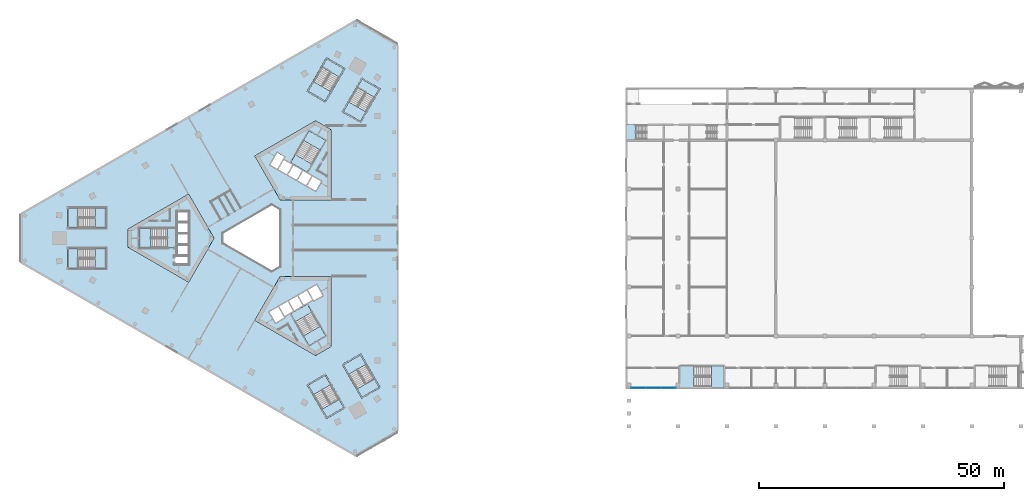
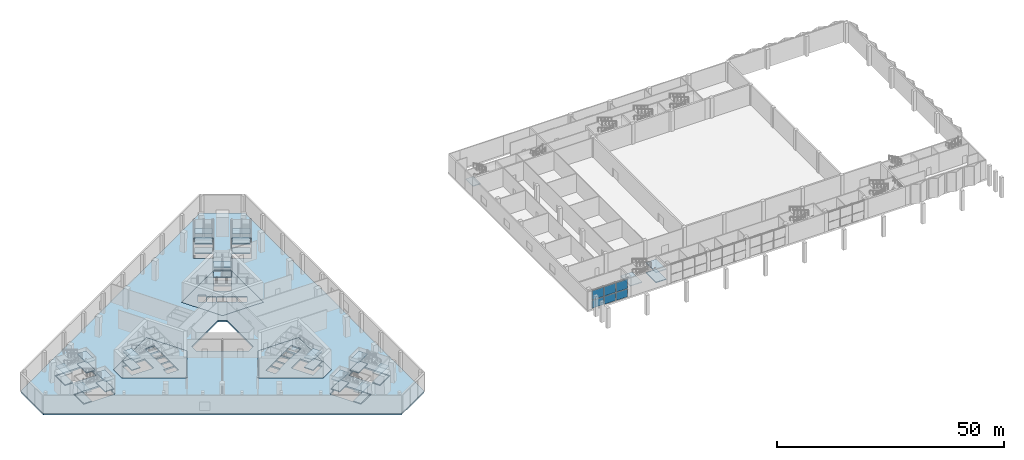
# One storey, part 4 of 35: 41 slabs, 6 plates, 12 elements without a shape of their own.
"""IFC4 building model written with IfcOpenShell, lengths in metres."""

from ifc_helpers import new_model, si_unit, direction, frame, origin, origin_2d, place, context, subcontext, project, spatial, polyline, rectangle, outline, extrude, material, layer, layer_set, type_object, element, aggregate, save


model = new_model("IFC4")

# Units and contexts
model_context = context("Model", 3, precision=1e-05, world=origin(), true_north=direction((0.0, 1.0)))
body_context = subcontext(model_context, "Body", "Model", "MODEL_VIEW")
ifc_project = project(units=[si_unit("LENGTHUNIT", "METRE"), si_unit("AREAUNIT", "SQUARE_METRE"), si_unit("VOLUMEUNIT", "CUBIC_METRE"), si_unit("PLANEANGLEUNIT", "RADIAN"), si_unit("MASSUNIT", "GRAM", prefix="KILO")], contexts=[model_context])

# Site, building, storey
site_placement = place(None, origin())
site = spatial("IfcSite", under=ifc_project, at=site_placement, CompositionType="ELEMENT")
building_placement = place(site_placement, origin())
building = spatial("IfcBuilding", under=site, at=building_placement, Name="Jabali Bay Hotel Tower and Convention Centre", CompositionType="ELEMENT")
storey_placement = place(building_placement, frame((0.0, 0.0, 15.0)))
storey = spatial("IfcBuildingStorey", under=building, at=storey_placement, Name="L02", CompositionType="ELEMENT", Elevation=15.0)

# Curtain wall, plates
ifc_material_1 = material(Name="Aluminium 6063-T5 and glass", Category="aluminium")
curtain_wall_type = type_object("IfcCurtainWallType", Name="CC CW5 Unitised Curtain Wall", PredefinedType="NOTDEFINED", material=ifc_material_1)
curtain_wall_placement = place(storey_placement, origin())
curtain_wall = element("IfcCurtainWall", 1, at=curtain_wall_placement, inside=storey, type_object=curtain_wall_type, Name="CC CW5 run 1", PredefinedType="NOTDEFINED")
ifc_material_2 = material(Name="Glass IGU 28", Category="glass")
ifc_layer_1 = layer(ifc_material_2, 0.028076171875)
ifc_layer_set_1 = layer_set([ifc_layer_1], Name="Glass IGU 28")
plate_type = type_object("IfcPlateType", Name="CC Curtain Wall Glass Panel 28", PredefinedType="CURTAIN_PANEL", material=ifc_layer_set_1)
plate_1_placement = place(storey_placement, frame((152.6484375, 49.449951171875, 0.119873046875), z_axis=(0.0, 0.0, 1.0), x_axis=(1.0, 0.0, 0.0)))
plate_1 = element("IfcPlate", 2, at=plate_1_placement, type_object=plate_type, Name="CC-CW5 panel 1.1", PredefinedType="CURTAIN_PANEL", context=body_context, shape_type="SweptSolid", body=[
    extrude(rectangle(XDim=2.9765625, YDim=0.028076171875, at=origin_2d()), origin(), (0.0, 0.0, 1.0), 2.1201171875),
])
plate_2_placement = place(storey_placement, frame((152.6484375, 49.449951171875, 2.35986328125), z_axis=(0.0, 0.0, 1.0), x_axis=(1.0, 0.0, 0.0)))
plate_2 = element("IfcPlate", 3, at=plate_2_placement, type_object=plate_type, Name="CC-CW5 panel 1.2", PredefinedType="CURTAIN_PANEL", context=body_context, shape_type="SweptSolid", body=[
    extrude(rectangle(XDim=2.9765625, YDim=0.028076171875, at=origin_2d()), origin(), (0.0, 0.0, 1.0), 2.510009765625),
])
plate_3_placement = place(storey_placement, frame((155.699951171875, 49.449951171875, 0.119873046875), z_axis=(0.0, 0.0, 1.0), x_axis=(1.0, 0.0, 0.0)))
plate_3 = element("IfcPlate", 4, at=plate_3_placement, type_object=plate_type, Name="CC-CW5 panel 2.1", PredefinedType="CURTAIN_PANEL", context=body_context, shape_type="SweptSolid", body=[
    extrude(rectangle(XDim=3.006591796875, YDim=0.028076171875, at=origin_2d()), origin(), (0.0, 0.0, 1.0), 2.1201171875),
])
plate_4_placement = place(storey_placement, frame((155.699951171875, 49.449951171875, 2.35986328125), z_axis=(0.0, 0.0, 1.0), x_axis=(1.0, 0.0, 0.0)))
plate_4 = element("IfcPlate", 5, at=plate_4_placement, type_object=plate_type, Name="CC-CW5 panel 2.2", PredefinedType="CURTAIN_PANEL", context=body_context, shape_type="SweptSolid", body=[
    extrude(rectangle(XDim=3.006591796875, YDim=0.028076171875, at=origin_2d()), origin(), (0.0, 0.0, 1.0), 2.510009765625),
])
plate_5_placement = place(storey_placement, frame((158.751708984375, 49.449951171875, 0.119873046875), z_axis=(0.0, 0.0, 1.0), x_axis=(1.0, 0.0, 0.0)))
plate_5 = element("IfcPlate", 6, at=plate_5_placement, type_object=plate_type, Name="CC-CW5 panel 3.1", PredefinedType="CURTAIN_PANEL", context=body_context, shape_type="SweptSolid", body=[
    extrude(rectangle(XDim=2.9765625, YDim=0.028076171875, at=origin_2d()), origin(), (0.0, 0.0, 1.0), 2.1201171875),
])
plate_6_placement = place(storey_placement, frame((158.751708984375, 49.449951171875, 2.35986328125), z_axis=(0.0, 0.0, 1.0), x_axis=(1.0, 0.0, 0.0)))
plate_6 = element("IfcPlate", 7, at=plate_6_placement, type_object=plate_type, Name="CC-CW5 panel 3.2", PredefinedType="CURTAIN_PANEL", context=body_context, shape_type="SweptSolid", body=[
    extrude(rectangle(XDim=2.9765625, YDim=0.028076171875, at=origin_2d()), origin(), (0.0, 0.0, 1.0), 2.510009765625),
])
aggregate(curtain_wall, [plate_1, plate_2, plate_3, plate_4, plate_5, plate_6])

# Stair, slab
ifc_material_3 = material(Name="Concrete C40", Category="concrete")
stair_type_1 = type_object("IfcStairType", Name="CC Dogleg Stair 1350", PredefinedType="HALF_TURN_STAIR", material=ifc_material_3)
stair_1_placement = place(storey_placement, origin())
stair_1 = element("IfcStair", 8, at=stair_1_placement, inside=storey, type_object=stair_type_1, Name="L02 West stair A", PredefinedType="HALF_TURN_STAIR")
ifc_layer_2 = layer(ifc_material_3, 0.199951171875)
ifc_layer_set_2 = layer_set([ifc_layer_2], Name="Concrete C40")
slab_type_1 = type_object("IfcSlabType", Name="CC Stair Landing 200", PredefinedType="LANDING", material=ifc_layer_set_2)
slab_1_placement = place(storey_placement, frame((0.0, 0.0, 2.5)))
slab_1 = element("IfcSlab", 9, at=slab_1_placement, type_object=slab_type_1, Name="CC-STWA landing 2", PredefinedType="LANDING", context=body_context, shape_type="SweptSolid", body=[
    extrude(outline(polyline([(150.14990234375, 100.02490234375), (152.10302734375, 100.02490234375), (152.10302734375, 103.175048828125), (150.14990234375, 103.175048828125), (150.14990234375, 100.02490234375)])), origin(), (0.0, 0.0, 1.0), 0.199951171875),
])
aggregate(stair_1, [slab_1])

# Stair, slabs
stair_2_placement = place(storey_placement, origin())
stair_2 = element("IfcStair", 10, at=stair_2_placement, inside=storey, type_object=stair_type_1, Name="L02 South Exit Stair 1", PredefinedType="HALF_TURN_STAIR")
slab_2_placement = place(storey_placement, frame((0.0, 0.0, 1.14990234375)))
slab_2 = element("IfcSlab", 11, at=slab_2_placement, type_object=slab_type_1, Name="CC-STS1 landing 1", PredefinedType="LANDING", context=body_context, shape_type="SweptSolid", body=[
    extrude(outline(polyline([(167.51708984375, 49.550048828125), (170.14990234375, 49.550048828125), (170.14990234375, 53.949951171875), (167.51708984375, 53.949951171875), (167.51708984375, 49.550048828125)])), origin(), (0.0, 0.0, 1.0), 0.2001953125),
])
slab_3_placement = place(storey_placement, frame((0.0, 0.0, 2.5)))
slab_3 = element("IfcSlab", 12, at=slab_3_placement, type_object=slab_type_1, Name="CC-STS1 landing 2", PredefinedType="LANDING", context=body_context, shape_type="SweptSolid", body=[
    extrude(outline(polyline([(161.050048828125, 49.550048828125), (164.0029296875, 49.550048828125), (164.0029296875, 53.949951171875), (161.050048828125, 53.949951171875), (161.050048828125, 49.550048828125)])), origin(), (0.0, 0.0, 1.0), 0.199951171875),
])
slab_4_placement = place(storey_placement, frame((0.0, 0.0, 3.85009765625)))
slab_4 = element("IfcSlab", 13, at=slab_4_placement, type_object=slab_type_1, Name="CC-STS1 landing 3", PredefinedType="LANDING", context=body_context, shape_type="SweptSolid", body=[
    extrude(outline(polyline([(167.51708984375, 49.550048828125), (170.14990234375, 49.550048828125), (170.14990234375, 53.949951171875), (167.51708984375, 53.949951171875), (167.51708984375, 49.550048828125)])), origin(), (0.0, 0.0, 1.0), 0.199951171875),
])
aggregate(stair_2, [slab_2, slab_3, slab_4])

# Slabs
ifc_layer_3 = layer(ifc_material_3, 0.39990234375)
ifc_layer_set_3 = layer_set([ifc_layer_3], Name="Concrete C40")
slab_type_2 = type_object("IfcSlabType", Name="Core floor slab 400", PredefinedType="FLOOR", material=ifc_layer_set_3)
slab_5_placement = place(storey_placement, frame((0.0, 0.0, -0.39990234375)))
element("IfcSlab", 14, at=slab_5_placement, inside=storey, type_object=slab_type_2, Name="Core floor slab 1 L02", PredefinedType="FLOOR", context=body_context, shape_type="SweptSolid", body=[
    extrude(outline(polyline([(66.0, 80.0), (60.81005859375, 88.9892578125), (48.39697265625, 81.82275390625), (48.39697265625, 78.17724609375), (60.81005859375, 71.0107421875), (66.0, 80.0)]), holes=[polyline([(60.800048828125, 74.64990234375), (60.800048828125, 76.35009765625), (57.949951171875, 76.35009765625), (57.949951171875, 74.64990234375), (60.800048828125, 74.64990234375)]), polyline([(58.52001953125, 76.550048828125), (60.800048828125, 76.550048828125), (60.800048828125, 78.60009765625), (58.52001953125, 78.60009765625), (58.52001953125, 76.550048828125)]), polyline([(58.52001953125, 78.800048828125), (60.800048828125, 78.800048828125), (60.800048828125, 80.85009765625), (58.52001953125, 80.85009765625), (58.52001953125, 78.800048828125)]), polyline([(56.409912109375, 81.97509765625), (50.820068359375, 81.97509765625), (50.820068359375, 78.02490234375), (56.409912109375, 78.02490234375), (56.409912109375, 81.97509765625)]), polyline([(58.52001953125, 81.050048828125), (60.800048828125, 81.050048828125), (60.800048828125, 83.10009765625), (58.52001953125, 83.10009765625), (58.52001953125, 81.050048828125)]), polyline([(58.52001953125, 83.300048828125), (60.800048828125, 83.300048828125), (60.800048828125, 85.35009765625), (58.52001953125, 85.35009765625), (58.52001953125, 83.300048828125)])]), origin(), (0.0, 0.0, 1.0), 0.39990234375),
])
slab_6_placement = place(storey_placement, frame((0.0, 0.0, -0.39990234375)))
element("IfcSlab", 15, at=slab_6_placement, inside=storey, type_object=slab_type_2, Name="Core floor slab 2 L02", PredefinedType="FLOOR", context=body_context, shape_type="SweptSolid", body=[
    extrude(outline(polyline([(79.5, 87.794189453125), (89.8798828125, 87.794189453125), (89.8798828125, 102.127685546875), (86.72314453125, 103.9501953125), (74.31005859375, 96.78369140625), (79.5, 87.794189453125)]), holes=[polyline([(84.957763671875, 90.6474609375), (86.733154296875, 89.62255859375), (87.873291015625, 91.59716796875), (86.097900390625, 92.6220703125), (84.957763671875, 90.6474609375)]), polyline([(84.1494140625, 93.7470703125), (83.00927734375, 91.7724609375), (84.78466796875, 90.74755859375), (85.924560546875, 92.72216796875), (84.1494140625, 93.7470703125)]), polyline([(82.20068359375, 94.8720703125), (81.060791015625, 92.8974609375), (82.836181640625, 91.87255859375), (83.97607421875, 93.84716796875), (82.20068359375, 94.8720703125)]), polyline([(79.1123046875, 94.0224609375), (80.887451171875, 92.99755859375), (82.027587890625, 94.97216796875), (80.252197265625, 95.9970703125), (79.1123046875, 94.0224609375)]), polyline([(78.891845703125, 97.440673828125), (77.466796875, 94.97265625), (78.93896484375, 94.12255859375), (80.364013671875, 96.5908203125), (78.891845703125, 97.440673828125)]), polyline([(82.584716796875, 97.0869140625), (86.00537109375, 95.11181640625), (88.80029296875, 99.952880859375), (85.379638671875, 101.927978515625), (82.584716796875, 97.0869140625)])]), origin(), (0.0, 0.0, 1.0), 0.39990234375),
])
slab_7_placement = place(storey_placement, frame((0.0, 0.0, -0.39990234375)))
element("IfcSlab", 16, at=slab_7_placement, inside=storey, type_object=slab_type_2, Name="Core floor slab 3 L02", PredefinedType="FLOOR", context=body_context, shape_type="SweptSolid", body=[
    extrude(outline(polyline([(79.5, 72.205810546875), (74.31005859375, 63.21630859375), (86.72314453125, 56.0498046875), (89.8798828125, 57.872314453125), (89.8798828125, 72.205810546875), (79.5, 72.205810546875)]), holes=[polyline([(82.584716796875, 62.9130859375), (85.379638671875, 58.072021484375), (88.80029296875, 60.047119140625), (86.00537109375, 64.88818359375), (82.584716796875, 62.9130859375)]), polyline([(80.365478515625, 63.756591796875), (79.090576171875, 65.96484375), (77.27197265625, 64.9150390625), (78.546875, 62.70654296875), (80.365478515625, 63.756591796875)]), polyline([(82.17919921875, 65.115478515625), (81.0390625, 67.08984375), (79.263671875, 66.06494140625), (80.40380859375, 64.09033203125), (82.17919921875, 65.115478515625)]), polyline([(82.98779296875, 68.21484375), (81.21240234375, 67.18994140625), (82.352294921875, 65.21533203125), (84.127685546875, 66.240478515625), (82.98779296875, 68.21484375)]), polyline([(86.076171875, 67.365478515625), (84.936279296875, 69.33984375), (83.160888671875, 68.31494140625), (84.30078125, 66.34033203125), (86.076171875, 67.365478515625)]), polyline([(88.203125, 68.281494140625), (86.927978515625, 70.489990234375), (85.109375, 69.43994140625), (86.384521484375, 67.231689453125), (88.203125, 68.281494140625)])]), origin(), (0.0, 0.0, 1.0), 0.39990234375),
])
slab_8_placement = place(storey_placement, frame((0.0, 0.0, -0.39990234375)))
element("IfcSlab", 17, at=slab_8_placement, inside=storey, type_object=slab_type_2, Name="Podium stair landing slab 1 L02", PredefinedType="FLOOR", context=body_context, shape_type="SweptSolid", body=[
    extrude(outline(polyline([(36.300048828125, 73.85009765625), (38.2529296875, 73.85009765625), (38.2529296875, 77.85009765625), (36.300048828125, 77.85009765625), (36.300048828125, 73.85009765625)])), origin(), (0.0, 0.0, 1.0), 0.39990234375),
])
slab_9_placement = place(storey_placement, frame((0.0, 0.0, -0.39990234375)))
element("IfcSlab", 18, at=slab_9_placement, inside=storey, type_object=slab_type_2, Name="Podium stair landing slab 2 L02", PredefinedType="FLOOR", context=body_context, shape_type="SweptSolid", body=[
    extrude(outline(polyline([(36.300048828125, 82.14990234375), (38.2529296875, 82.14990234375), (38.2529296875, 86.14990234375), (36.300048828125, 86.14990234375), (36.300048828125, 82.14990234375)])), origin(), (0.0, 0.0, 1.0), 0.39990234375),
])
slab_10_placement = place(storey_placement, frame((0.0, 0.0, -0.39990234375)))
element("IfcSlab", 19, at=slab_10_placement, inside=storey, type_object=slab_type_2, Name="Podium stair landing slab 3 L02", PredefinedType="FLOOR", context=body_context, shape_type="SweptSolid", body=[
    extrude(outline(polyline([(89.02392578125, 116.590087890625), (88.04736328125, 114.89892578125), (91.511474609375, 112.89892578125), (92.488037109375, 114.590087890625), (89.02392578125, 116.590087890625)])), origin(), (0.0, 0.0, 1.0), 0.39990234375),
])
slab_11_placement = place(storey_placement, frame((0.0, 0.0, -0.39990234375)))
element("IfcSlab", 20, at=slab_11_placement, inside=storey, type_object=slab_type_2, Name="Podium stair landing slab 4 L02", PredefinedType="FLOOR", context=body_context, shape_type="SweptSolid", body=[
    extrude(outline(polyline([(96.2119140625, 112.440185546875), (95.2353515625, 110.748779296875), (98.699462890625, 108.748779296875), (99.676025390625, 110.440185546875), (96.2119140625, 112.440185546875)])), origin(), (0.0, 0.0, 1.0), 0.39990234375),
])
slab_12_placement = place(storey_placement, frame((0.0, 0.0, -0.39990234375)))
element("IfcSlab", 21, at=slab_12_placement, inside=storey, type_object=slab_type_2, Name="Podium stair landing slab 5 L02", PredefinedType="FLOOR", context=body_context, shape_type="SweptSolid", body=[
    extrude(outline(polyline([(99.676025390625, 49.559814453125), (98.699462890625, 51.251220703125), (95.2353515625, 49.251220703125), (96.2119140625, 47.559814453125), (99.676025390625, 49.559814453125)])), origin(), (0.0, 0.0, 1.0), 0.39990234375),
])
slab_13_placement = place(storey_placement, frame((0.0, 0.0, -0.39990234375)))
element("IfcSlab", 22, at=slab_13_placement, inside=storey, type_object=slab_type_2, Name="Podium stair landing slab 6 L02", PredefinedType="FLOOR", context=body_context, shape_type="SweptSolid", body=[
    extrude(outline(polyline([(92.488037109375, 45.409912109375), (91.511474609375, 47.10107421875), (88.04736328125, 45.10107421875), (89.02392578125, 43.409912109375), (92.488037109375, 45.409912109375)])), origin(), (0.0, 0.0, 1.0), 0.39990234375),
])
ifc_layer_4 = layer(ifc_material_3, 0.39990234375)
ifc_layer_set_4 = layer_set([ifc_layer_4], Name="Concrete C40")
slab_type_3 = type_object("IfcSlabType", Name="Post-tensioned flat slab 400", PredefinedType="FLOOR", material=ifc_layer_set_4)
slab_14_placement = place(storey_placement, frame((0.0, 0.0, -0.39990234375)))
element("IfcSlab", 23, at=slab_14_placement, inside=storey, type_object=slab_type_3, Name="Floor slab L02", PredefinedType="FLOOR", context=body_context, shape_type="SweptSolid", body=[
    extrude(outline(polyline([(94.83984375, 124.363525390625), (103.5, 119.363525390625), (103.5, 40.636474609375), (94.83984375, 35.636474609375), (26.66015625, 75.0), (26.66015625, 85.0), (94.83984375, 124.363525390625)]), holes=[polyline([(67.73193359375, 79.0), (77.76806640625, 73.205810546875), (79.5, 74.205810546875), (79.5, 85.794189453125), (77.76806640625, 86.794189453125), (67.73193359375, 81.0), (67.73193359375, 79.0)]), polyline([(60.81005859375, 71.0107421875), (66.0, 80.0), (60.81005859375, 88.9892578125), (48.39697265625, 81.82275390625), (48.39697265625, 78.17724609375), (60.81005859375, 71.0107421875)]), polyline([(86.72314453125, 103.9501953125), (74.31005859375, 96.78369140625), (79.5, 87.794189453125), (89.8798828125, 87.794189453125), (89.8798828125, 102.127685546875), (86.72314453125, 103.9501953125)]), polyline([(86.72314453125, 56.0498046875), (89.8798828125, 57.872314453125), (89.8798828125, 72.205810546875), (79.5, 72.205810546875), (74.31005859375, 63.21630859375), (86.72314453125, 56.0498046875)]), polyline([(44.10009765625, 73.64990234375), (44.10009765625, 78.050048828125), (36.10009765625, 78.050048828125), (36.10009765625, 73.64990234375), (44.10009765625, 73.64990234375)]), polyline([(36.10009765625, 81.949951171875), (44.10009765625, 81.949951171875), (44.10009765625, 86.35009765625), (36.10009765625, 86.35009765625), (36.10009765625, 81.949951171875)]), polyline([(92.76123046875, 114.663330078125), (88.95068359375, 116.86328125), (84.95068359375, 109.935302734375), (88.76123046875, 107.735107421875), (92.76123046875, 114.663330078125)]), polyline([(95.94921875, 103.585205078125), (99.94921875, 110.513427734375), (96.138671875, 112.71337890625), (92.138671875, 105.78515625), (95.94921875, 103.585205078125)]), polyline([(95.94921875, 56.414794921875), (92.138671875, 54.21484375), (96.138671875, 47.28662109375), (99.94921875, 49.486572265625), (95.94921875, 56.414794921875)]), polyline([(92.76123046875, 45.336669921875), (88.76123046875, 52.264892578125), (84.95068359375, 50.064697265625), (88.95068359375, 43.13671875), (92.76123046875, 45.336669921875)])]), origin(), (0.0, 0.0, 1.0), 0.39990234375),
])

# Stair, slabs
stair_type_2 = type_object("IfcStairType", Name="Exit stair 1900", PredefinedType="HALF_TURN_STAIR", material=ifc_material_3)
stair_3_placement = place(storey_placement, origin())
stair_3 = element("IfcStair", 24, at=stair_3_placement, inside=storey, type_object=stair_type_2, Name="L02 Exit Stair 1", PredefinedType="HALF_TURN_STAIR")
ifc_layer_5 = layer(ifc_material_3, 0.199951171875)
ifc_layer_set_5 = layer_set([ifc_layer_5], Name="Concrete C40")
slab_type_4 = type_object("IfcSlabType", Name="Stair landing 200", PredefinedType="LANDING", material=ifc_layer_set_5)
slab_15_placement = place(storey_placement, frame((0.0, 0.0, 1.14990234375)))
slab_15 = element("IfcSlab", 25, at=slab_15_placement, type_object=slab_type_4, Name="ST1 landing 1", PredefinedType="LANDING", context=body_context, shape_type="SweptSolid", body=[
    extrude(outline(polyline([(53.093017578125, 81.97509765625), (50.820068359375, 81.97509765625), (50.820068359375, 78.02490234375), (53.093017578125, 78.02490234375), (53.093017578125, 81.97509765625)])), origin(), (0.0, 0.0, 1.0), 0.2001953125),
])
slab_16_placement = place(storey_placement, frame((0.0, 0.0, 2.5)))
slab_16 = element("IfcSlab", 26, at=slab_16_placement, type_object=slab_type_4, Name="ST1 landing 2", PredefinedType="LANDING", context=body_context, shape_type="SweptSolid", body=[
    extrude(outline(polyline([(58.320068359375, 81.97509765625), (56.4169921875, 81.97509765625), (56.4169921875, 78.02490234375), (58.320068359375, 78.02490234375), (58.320068359375, 81.97509765625)])), origin(), (0.0, 0.0, 1.0), 0.199951171875),
])
slab_17_placement = place(storey_placement, frame((0.0, 0.0, 3.85009765625)))
slab_17 = element("IfcSlab", 27, at=slab_17_placement, type_object=slab_type_4, Name="ST1 landing 3", PredefinedType="LANDING", context=body_context, shape_type="SweptSolid", body=[
    extrude(outline(polyline([(53.093017578125, 81.97509765625), (50.820068359375, 81.97509765625), (50.820068359375, 78.02490234375), (53.093017578125, 78.02490234375), (53.093017578125, 81.97509765625)])), origin(), (0.0, 0.0, 1.0), 0.199951171875),
])
aggregate(stair_3, [slab_15, slab_16, slab_17])

stair_4_placement = place(storey_placement, origin())
stair_4 = element("IfcStair", 28, at=stair_4_placement, inside=storey, type_object=stair_type_2, Name="L02 Exit Stair 2", PredefinedType="HALF_TURN_STAIR")
slab_18_placement = place(storey_placement, frame((0.0, 0.0, 1.14990234375)))
slab_18 = element("IfcSlab", 29, at=slab_18_placement, type_object=slab_type_4, Name="ST2 landing 1", PredefinedType="LANDING", context=body_context, shape_type="SweptSolid", body=[
    extrude(outline(polyline([(87.663818359375, 97.984619140625), (88.80029296875, 99.952880859375), (85.379638671875, 101.927978515625), (84.2431640625, 99.95947265625), (87.663818359375, 97.984619140625)])), origin(), (0.0, 0.0, 1.0), 0.2001953125),
])
slab_19_placement = place(storey_placement, frame((0.0, 0.0, 2.5)))
slab_19 = element("IfcSlab", 30, at=slab_19_placement, type_object=slab_type_4, Name="ST2 landing 2", PredefinedType="LANDING", context=body_context, shape_type="SweptSolid", body=[
    extrude(outline(polyline([(85.05029296875, 93.457763671875), (86.001953125, 95.10595703125), (82.5810546875, 97.080810546875), (81.629638671875, 95.432861328125), (85.05029296875, 93.457763671875)])), origin(), (0.0, 0.0, 1.0), 0.199951171875),
])
slab_20_placement = place(storey_placement, frame((0.0, 0.0, 3.85009765625)))
slab_20 = element("IfcSlab", 31, at=slab_20_placement, type_object=slab_type_4, Name="ST2 landing 3", PredefinedType="LANDING", context=body_context, shape_type="SweptSolid", body=[
    extrude(outline(polyline([(87.663818359375, 97.984619140625), (88.80029296875, 99.952880859375), (85.379638671875, 101.927978515625), (84.2431640625, 99.95947265625), (87.663818359375, 97.984619140625)])), origin(), (0.0, 0.0, 1.0), 0.199951171875),
])
aggregate(stair_4, [slab_18, slab_19, slab_20])

stair_5_placement = place(storey_placement, origin())
stair_5 = element("IfcStair", 32, at=stair_5_placement, inside=storey, type_object=stair_type_2, Name="L02 Exit Stair 3", PredefinedType="HALF_TURN_STAIR")
slab_21_placement = place(storey_placement, frame((0.0, 0.0, 1.14990234375)))
slab_21 = element("IfcSlab", 33, at=slab_21_placement, type_object=slab_type_4, Name="ST3 landing 1", PredefinedType="LANDING", context=body_context, shape_type="SweptSolid", body=[
    extrude(outline(polyline([(84.2431640625, 60.04052734375), (85.379638671875, 58.072021484375), (88.80029296875, 60.047119140625), (87.663818359375, 62.015380859375), (84.2431640625, 60.04052734375)])), origin(), (0.0, 0.0, 1.0), 0.2001953125),
])
slab_22_placement = place(storey_placement, frame((0.0, 0.0, 2.5)))
slab_22 = element("IfcSlab", 34, at=slab_22_placement, type_object=slab_type_4, Name="ST3 landing 2", PredefinedType="LANDING", context=body_context, shape_type="SweptSolid", body=[
    extrude(outline(polyline([(81.629638671875, 64.567138671875), (82.5810546875, 62.919189453125), (86.001953125, 64.89404296875), (85.05029296875, 66.542236328125), (81.629638671875, 64.567138671875)])), origin(), (0.0, 0.0, 1.0), 0.199951171875),
])
slab_23_placement = place(storey_placement, frame((0.0, 0.0, 3.85009765625)))
slab_23 = element("IfcSlab", 35, at=slab_23_placement, type_object=slab_type_4, Name="ST3 landing 3", PredefinedType="LANDING", context=body_context, shape_type="SweptSolid", body=[
    extrude(outline(polyline([(84.2431640625, 60.04052734375), (85.379638671875, 58.072021484375), (88.80029296875, 60.047119140625), (87.663818359375, 62.015380859375), (84.2431640625, 60.04052734375)])), origin(), (0.0, 0.0, 1.0), 0.199951171875),
])
aggregate(stair_5, [slab_21, slab_22, slab_23])

stair_type_3 = type_object("IfcStairType", Name="Podium stair 1950", PredefinedType="HALF_TURN_STAIR", material=ifc_material_3)
stair_6_placement = place(storey_placement, origin())
stair_6 = element("IfcStair", 36, at=stair_6_placement, inside=storey, type_object=stair_type_3, Name="L02 Podium Exit Stair 1", PredefinedType="HALF_TURN_STAIR")
slab_24_placement = place(storey_placement, frame((0.0, 0.0, 1.14990234375)))
slab_24 = element("IfcSlab", 37, at=slab_24_placement, type_object=slab_type_4, Name="PS1 landing 1", PredefinedType="LANDING", context=body_context, shape_type="SweptSolid", body=[
    extrude(outline(polyline([(41.6669921875, 73.85009765625), (43.89990234375, 73.85009765625), (43.89990234375, 77.85009765625), (41.6669921875, 77.85009765625), (41.6669921875, 73.85009765625)])), origin(), (0.0, 0.0, 1.0), 0.2001953125),
])
slab_25_placement = place(storey_placement, frame((0.0, 0.0, 2.5)))
slab_25 = element("IfcSlab", 38, at=slab_25_placement, type_object=slab_type_4, Name="PS1 landing 2", PredefinedType="LANDING", context=body_context, shape_type="SweptSolid", body=[
    extrude(outline(polyline([(36.300048828125, 73.85009765625), (38.2529296875, 73.85009765625), (38.2529296875, 77.85009765625), (36.300048828125, 77.85009765625), (36.300048828125, 73.85009765625)])), origin(), (0.0, 0.0, 1.0), 0.199951171875),
])
slab_26_placement = place(storey_placement, frame((0.0, 0.0, 3.85009765625)))
slab_26 = element("IfcSlab", 39, at=slab_26_placement, type_object=slab_type_4, Name="PS1 landing 3", PredefinedType="LANDING", context=body_context, shape_type="SweptSolid", body=[
    extrude(outline(polyline([(41.6669921875, 73.85009765625), (43.89990234375, 73.85009765625), (43.89990234375, 77.85009765625), (41.6669921875, 77.85009765625), (41.6669921875, 73.85009765625)])), origin(), (0.0, 0.0, 1.0), 0.199951171875),
])
aggregate(stair_6, [slab_24, slab_25, slab_26])

stair_7_placement = place(storey_placement, origin())
stair_7 = element("IfcStair", 40, at=stair_7_placement, inside=storey, type_object=stair_type_3, Name="L02 Podium Exit Stair 2", PredefinedType="HALF_TURN_STAIR")
slab_27_placement = place(storey_placement, frame((0.0, 0.0, 1.14990234375)))
slab_27 = element("IfcSlab", 41, at=slab_27_placement, type_object=slab_type_4, Name="PS2 landing 1", PredefinedType="LANDING", context=body_context, shape_type="SweptSolid", body=[
    extrude(outline(polyline([(41.6669921875, 82.14990234375), (43.89990234375, 82.14990234375), (43.89990234375, 86.14990234375), (41.6669921875, 86.14990234375), (41.6669921875, 82.14990234375)])), origin(), (0.0, 0.0, 1.0), 0.2001953125),
])
slab_28_placement = place(storey_placement, frame((0.0, 0.0, 2.5)))
slab_28 = element("IfcSlab", 42, at=slab_28_placement, type_object=slab_type_4, Name="PS2 landing 2", PredefinedType="LANDING", context=body_context, shape_type="SweptSolid", body=[
    extrude(outline(polyline([(36.300048828125, 82.14990234375), (38.2529296875, 82.14990234375), (38.2529296875, 86.14990234375), (36.300048828125, 86.14990234375), (36.300048828125, 82.14990234375)])), origin(), (0.0, 0.0, 1.0), 0.199951171875),
])
slab_29_placement = place(storey_placement, frame((0.0, 0.0, 3.85009765625)))
slab_29 = element("IfcSlab", 43, at=slab_29_placement, type_object=slab_type_4, Name="PS2 landing 3", PredefinedType="LANDING", context=body_context, shape_type="SweptSolid", body=[
    extrude(outline(polyline([(41.6669921875, 82.14990234375), (43.89990234375, 82.14990234375), (43.89990234375, 86.14990234375), (41.6669921875, 86.14990234375), (41.6669921875, 82.14990234375)])), origin(), (0.0, 0.0, 1.0), 0.199951171875),
])
aggregate(stair_7, [slab_27, slab_28, slab_29])

stair_8_placement = place(storey_placement, origin())
stair_8 = element("IfcStair", 44, at=stair_8_placement, inside=storey, type_object=stair_type_3, Name="L02 Podium Exit Stair 3", PredefinedType="HALF_TURN_STAIR")
slab_30_placement = place(storey_placement, frame((0.0, 0.0, 1.14990234375)))
slab_30 = element("IfcSlab", 45, at=slab_30_placement, type_object=slab_type_4, Name="PS3 landing 1", PredefinedType="LANDING", context=body_context, shape_type="SweptSolid", body=[
    extrude(outline(polyline([(86.34033203125, 111.942138671875), (85.223876953125, 110.00830078125), (88.68798828125, 108.00830078125), (89.804443359375, 109.942138671875), (86.34033203125, 111.942138671875)])), origin(), (0.0, 0.0, 1.0), 0.2001953125),
])
slab_31_placement = place(storey_placement, frame((0.0, 0.0, 2.5)))
slab_31 = element("IfcSlab", 46, at=slab_31_placement, type_object=slab_type_4, Name="PS3 landing 2", PredefinedType="LANDING", context=body_context, shape_type="SweptSolid", body=[
    extrude(outline(polyline([(89.02392578125, 116.590087890625), (88.04736328125, 114.89892578125), (91.511474609375, 112.89892578125), (92.488037109375, 114.590087890625), (89.02392578125, 116.590087890625)])), origin(), (0.0, 0.0, 1.0), 0.199951171875),
])
slab_32_placement = place(storey_placement, frame((0.0, 0.0, 3.85009765625)))
slab_32 = element("IfcSlab", 47, at=slab_32_placement, type_object=slab_type_4, Name="PS3 landing 3", PredefinedType="LANDING", context=body_context, shape_type="SweptSolid", body=[
    extrude(outline(polyline([(86.34033203125, 111.942138671875), (85.223876953125, 110.00830078125), (88.68798828125, 108.00830078125), (89.804443359375, 109.942138671875), (86.34033203125, 111.942138671875)])), origin(), (0.0, 0.0, 1.0), 0.199951171875),
])
aggregate(stair_8, [slab_30, slab_31, slab_32])

stair_9_placement = place(storey_placement, origin())
stair_9 = element("IfcStair", 48, at=stair_9_placement, inside=storey, type_object=stair_type_3, Name="L02 Podium Exit Stair 4", PredefinedType="HALF_TURN_STAIR")
slab_33_placement = place(storey_placement, frame((0.0, 0.0, 1.14990234375)))
slab_33 = element("IfcSlab", 49, at=slab_33_placement, type_object=slab_type_4, Name="PS4 landing 1", PredefinedType="LANDING", context=body_context, shape_type="SweptSolid", body=[
    extrude(outline(polyline([(93.528564453125, 107.792236328125), (92.411865234375, 105.8583984375), (95.8759765625, 103.8583984375), (96.99267578125, 105.792236328125), (93.528564453125, 107.792236328125)])), origin(), (0.0, 0.0, 1.0), 0.2001953125),
])
slab_34_placement = place(storey_placement, frame((0.0, 0.0, 2.5)))
slab_34 = element("IfcSlab", 50, at=slab_34_placement, type_object=slab_type_4, Name="PS4 landing 2", PredefinedType="LANDING", context=body_context, shape_type="SweptSolid", body=[
    extrude(outline(polyline([(96.2119140625, 112.440185546875), (95.2353515625, 110.748779296875), (98.699462890625, 108.748779296875), (99.676025390625, 110.440185546875), (96.2119140625, 112.440185546875)])), origin(), (0.0, 0.0, 1.0), 0.199951171875),
])
slab_35_placement = place(storey_placement, frame((0.0, 0.0, 3.85009765625)))
slab_35 = element("IfcSlab", 51, at=slab_35_placement, type_object=slab_type_4, Name="PS4 landing 3", PredefinedType="LANDING", context=body_context, shape_type="SweptSolid", body=[
    extrude(outline(polyline([(93.528564453125, 107.792236328125), (92.411865234375, 105.8583984375), (95.8759765625, 103.8583984375), (96.99267578125, 105.792236328125), (93.528564453125, 107.792236328125)])), origin(), (0.0, 0.0, 1.0), 0.199951171875),
])
aggregate(stair_9, [slab_33, slab_34, slab_35])

stair_10_placement = place(storey_placement, origin())
stair_10 = element("IfcStair", 52, at=stair_10_placement, inside=storey, type_object=stair_type_3, Name="L02 Podium Exit Stair 5", PredefinedType="HALF_TURN_STAIR")
slab_36_placement = place(storey_placement, frame((0.0, 0.0, 1.14990234375)))
slab_36 = element("IfcSlab", 53, at=slab_36_placement, type_object=slab_type_4, Name="PS5 landing 1", PredefinedType="LANDING", context=body_context, shape_type="SweptSolid", body=[
    extrude(outline(polyline([(96.99267578125, 54.207763671875), (95.8759765625, 56.1416015625), (92.411865234375, 54.1416015625), (93.528564453125, 52.207763671875), (96.99267578125, 54.207763671875)])), origin(), (0.0, 0.0, 1.0), 0.2001953125),
])
slab_37_placement = place(storey_placement, frame((0.0, 0.0, 2.5)))
slab_37 = element("IfcSlab", 54, at=slab_37_placement, type_object=slab_type_4, Name="PS5 landing 2", PredefinedType="LANDING", context=body_context, shape_type="SweptSolid", body=[
    extrude(outline(polyline([(99.676025390625, 49.559814453125), (98.699462890625, 51.251220703125), (95.2353515625, 49.251220703125), (96.2119140625, 47.559814453125), (99.676025390625, 49.559814453125)])), origin(), (0.0, 0.0, 1.0), 0.199951171875),
])
slab_38_placement = place(storey_placement, frame((0.0, 0.0, 3.85009765625)))
slab_38 = element("IfcSlab", 55, at=slab_38_placement, type_object=slab_type_4, Name="PS5 landing 3", PredefinedType="LANDING", context=body_context, shape_type="SweptSolid", body=[
    extrude(outline(polyline([(96.99267578125, 54.207763671875), (95.8759765625, 56.1416015625), (92.411865234375, 54.1416015625), (93.528564453125, 52.207763671875), (96.99267578125, 54.207763671875)])), origin(), (0.0, 0.0, 1.0), 0.199951171875),
])
aggregate(stair_10, [slab_36, slab_37, slab_38])

stair_11_placement = place(storey_placement, origin())
stair_11 = element("IfcStair", 56, at=stair_11_placement, inside=storey, type_object=stair_type_3, Name="L02 Podium Exit Stair 6", PredefinedType="HALF_TURN_STAIR")
slab_39_placement = place(storey_placement, frame((0.0, 0.0, 1.14990234375)))
slab_39 = element("IfcSlab", 57, at=slab_39_placement, type_object=slab_type_4, Name="PS6 landing 1", PredefinedType="LANDING", context=body_context, shape_type="SweptSolid", body=[
    extrude(outline(polyline([(89.804443359375, 50.057861328125), (88.68798828125, 51.99169921875), (85.223876953125, 49.99169921875), (86.34033203125, 48.057861328125), (89.804443359375, 50.057861328125)])), origin(), (0.0, 0.0, 1.0), 0.2001953125),
])
slab_40_placement = place(storey_placement, frame((0.0, 0.0, 2.5)))
slab_40 = element("IfcSlab", 58, at=slab_40_placement, type_object=slab_type_4, Name="PS6 landing 2", PredefinedType="LANDING", context=body_context, shape_type="SweptSolid", body=[
    extrude(outline(polyline([(92.488037109375, 45.409912109375), (91.511474609375, 47.10107421875), (88.04736328125, 45.10107421875), (89.02392578125, 43.409912109375), (92.488037109375, 45.409912109375)])), origin(), (0.0, 0.0, 1.0), 0.199951171875),
])
slab_41_placement = place(storey_placement, frame((0.0, 0.0, 3.85009765625)))
slab_41 = element("IfcSlab", 59, at=slab_41_placement, type_object=slab_type_4, Name="PS6 landing 3", PredefinedType="LANDING", context=body_context, shape_type="SweptSolid", body=[
    extrude(outline(polyline([(89.804443359375, 50.057861328125), (88.68798828125, 51.99169921875), (85.223876953125, 49.99169921875), (86.34033203125, 48.057861328125), (89.804443359375, 50.057861328125)])), origin(), (0.0, 0.0, 1.0), 0.199951171875),
])
aggregate(stair_11, [slab_39, slab_40, slab_41])

save(model, "model.ifc")
